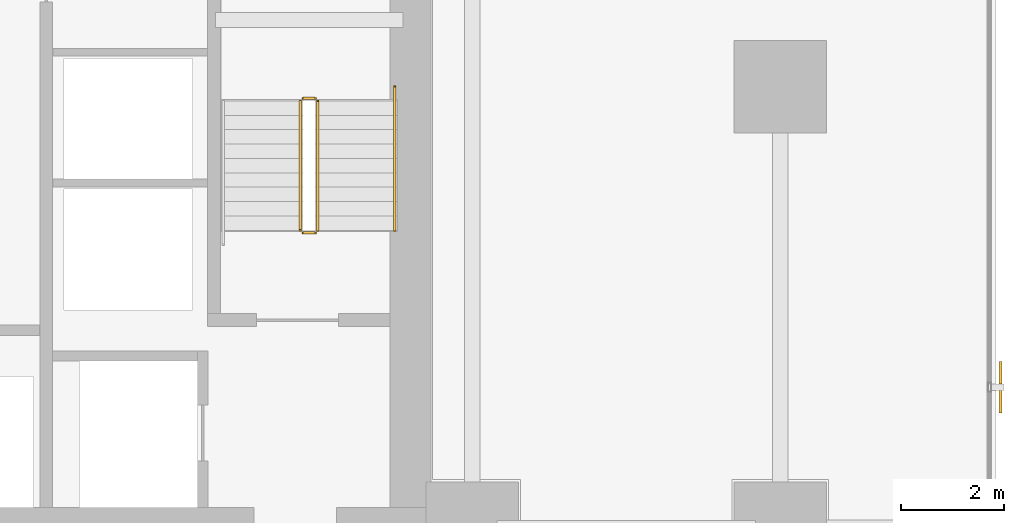
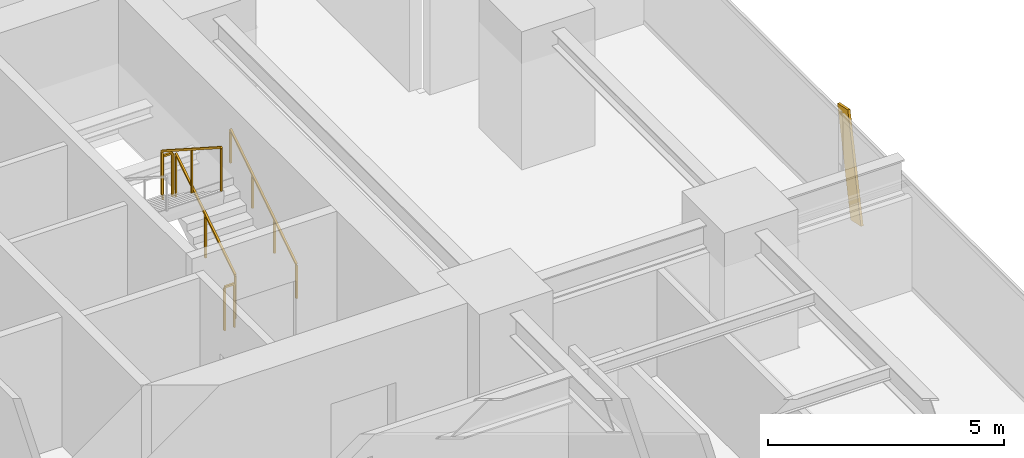
# One storey, part 33 of 34: 5 railings, 1 shading device.
"""IFC4 building model written with IfcOpenShell, lengths in metres."""

from ifc_helpers import new_model, si_unit, direction, frame, origin, origin_2d, place, context, subcontext, project, spatial, rectangle, extrude, source, transform, mapped, material, material_profile, profile_set, type_object, element, save


model = new_model("IFC4")

# Units and contexts
model_context = context("Model", 3, precision=1e-05, world=origin(), true_north=direction((0.0, 1.0)))
body_context = subcontext(model_context, "Body", "Model", "MODEL_VIEW")
ifc_project = project(units=[si_unit("LENGTHUNIT", "METRE"), si_unit("AREAUNIT", "SQUARE_METRE"), si_unit("VOLUMEUNIT", "CUBIC_METRE"), si_unit("PLANEANGLEUNIT", "RADIAN"), si_unit("MASSUNIT", "GRAM", prefix="KILO")], contexts=[model_context])

# Site, building, storey
site_placement = place(None, origin())
site = spatial("IfcSite", under=ifc_project, at=site_placement, CompositionType="ELEMENT")
building_placement = place(site_placement, origin())
building = spatial("IfcBuilding", under=site, at=building_placement, Name="Sumidabori Civic Tower", CompositionType="ELEMENT")
storey_placement = place(building_placement, frame((0.0, 0.0, 56.0)))
storey = spatial("IfcBuildingStorey", under=building, at=storey_placement, Name="L14", CompositionType="ELEMENT", Elevation=56.0)

# Railings
ifc_material_1 = material(Name="Stainless Steel Hairline Finish", Category="steel")
railing_type_1 = type_object("IfcRailingType", Name="RL-HANDRAIL", PredefinedType="HANDRAIL", material=ifc_material_1)
railing_1_placement = place(storey_placement, frame((15.2900390625, 16.0, 0.179931640625)))
element("IfcRailing", 1, at=railing_1_placement, inside=storey, type_object=railing_type_1, Name="L14 ST-2 stair handrail 1", PredefinedType="HANDRAIL", context=body_context, shape_type="SweptSolid", body=[
    extrude(rectangle(XDim=0.048095703125, YDim=0.048095703125, at=origin_2d()), frame((0.0, 0.0, 0.8759765625), z_axis=(0.0, 0.84064222762, 0.54159084662), x_axis=(-1.0, 0.0, 0.0)), (0.0, 0.0, 1.0), 3.330810546875),
    extrude(rectangle(XDim=0.0419921875, YDim=0.0419921875, at=origin_2d()), origin(), (0.0, 0.0, 1.0), 0.851806640625),
    extrude(rectangle(XDim=0.0419921875, YDim=0.0419921875, at=origin_2d()), frame((0.0, 0.933349609375, 0.601318359375)), (0.0, 0.0, 1.0), 0.851806640625),
    extrude(rectangle(XDim=0.0419921875, YDim=0.0419921875, at=origin_2d()), frame((0.0, 1.86669921875, 1.20263671875)), (0.0, 0.0, 1.0), 0.851806640625),
    extrude(rectangle(XDim=0.0419921875, YDim=0.0419921875, at=origin_2d()), frame((0.0, 2.800048828125, 1.803955078125)), (0.0, 0.0, 1.0), 0.851806640625),
])
ifc_material_2 = material(Name="Steel SN490", Category="steel")
railing_type_2 = type_object("IfcRailingType", Name="RL-STAIR-GUARD", PredefinedType="GUARDRAIL", material=ifc_material_2)
railing_2_placement = place(storey_placement, frame((13.7900390625, 16.0, 0.179931640625)))
element("IfcRailing", 2, at=railing_2_placement, inside=storey, type_object=railing_type_2, Name="L14 ST-2 stair guard 1", PredefinedType="GUARDRAIL", context=body_context, shape_type="SweptSolid", body=[
    extrude(rectangle(XDim=0.048095703125, YDim=0.048095703125, at=origin_2d()), frame((0.0, 0.0, 1.1259765625), z_axis=(0.0, 0.841162588446, 0.540782303519), x_axis=(-1.0, 0.0, 0.0)), (0.0, 0.0, 1.0), 2.995849609375),
    extrude(rectangle(XDim=0.0419921875, YDim=0.0419921875, at=origin_2d()), origin(), (0.0, 0.0, 1.0), 1.101806640625),
    extrude(rectangle(XDim=0.0419921875, YDim=0.0419921875, at=origin_2d()), frame((0.0, 1.260009765625, 0.81005859375)), (0.0, 0.0, 1.0), 1.101806640625),
    extrude(rectangle(XDim=0.0419921875, YDim=0.0419921875, at=origin_2d()), frame((0.0, 2.52001953125, 1.6201171875)), (0.0, 0.0, 1.0), 1.101806640625),
])
railing_3_placement = place(storey_placement, frame((13.739990234375, 18.570068359375, 1.800048828125)))
element("IfcRailing", 3, at=railing_3_placement, inside=storey, type_object=railing_type_2, Name="L14 ST-2 stair guard 2", PredefinedType="GUARDRAIL", context=body_context, shape_type="SweptSolid", body=[
    extrude(rectangle(XDim=0.048095703125, YDim=0.048095703125, at=origin_2d()), frame((0.0, 0.0, 1.1259765625), z_axis=(-1.0, 0.0, 0.0), x_axis=(0.0, -1.0, 0.0)), (0.0, 0.0, 1.0), 0.239990234375),
    extrude(rectangle(XDim=0.0419921875, YDim=0.0419921875, at=origin_2d()), origin(), (0.0, 0.0, 1.0), 1.101806640625),
    extrude(rectangle(XDim=0.0419921875, YDim=0.0419921875, at=origin_2d()), frame((-0.239990234375, 0.0, 0.0)), (0.0, 0.0, 1.0), 1.101806640625),
])
railing_4_placement = place(storey_placement, frame((13.449951171875, 18.52001953125, 1.97998046875)))
element("IfcRailing", 4, at=railing_4_placement, inside=storey, type_object=railing_type_2, Name="L14 ST-2 stair guard 3", PredefinedType="GUARDRAIL", context=body_context, shape_type="SweptSolid", body=[
    extrude(rectangle(XDim=0.048095703125, YDim=0.048095703125, at=origin_2d()), frame((0.0, 0.0, 1.1259765625), z_axis=(0.0, -0.841162588446, 0.540782303519), x_axis=(1.0, 0.0, 0.0)), (0.0, 0.0, 1.0), 2.995849609375),
    extrude(rectangle(XDim=0.0419921875, YDim=0.0419921875, at=origin_2d()), origin(), (0.0, 0.0, 1.0), 1.101806640625),
    extrude(rectangle(XDim=0.0419921875, YDim=0.0419921875, at=origin_2d()), frame((0.0, -1.260009765625, 0.81005859375)), (0.0, 0.0, 1.0), 1.101806640625),
    extrude(rectangle(XDim=0.0419921875, YDim=0.0419921875, at=origin_2d()), frame((0.0, -2.52001953125, 1.6201171875)), (0.0, 0.0, 1.0), 1.101806640625),
])
railing_5_placement = place(storey_placement, frame((13.739990234375, 15.949951171875, 0.0)))
element("IfcRailing", 5, at=railing_5_placement, inside=storey, type_object=railing_type_2, Name="L14 ST-2 stair guard 4", PredefinedType="GUARDRAIL", context=body_context, shape_type="SweptSolid", body=[
    extrude(rectangle(XDim=0.048095703125, YDim=0.048095703125, at=origin_2d()), frame((0.0, 0.0, 1.1259765625), z_axis=(-1.0, 0.0, 0.0), x_axis=(0.0, -1.0, 0.0)), (0.0, 0.0, 1.0), 0.239990234375),
    extrude(rectangle(XDim=0.0419921875, YDim=0.0419921875, at=origin_2d()), origin(), (0.0, 0.0, 1.0), 1.101806640625),
    extrude(rectangle(XDim=0.0419921875, YDim=0.0419921875, at=origin_2d()), frame((-0.239990234375, 0.0, 0.0)), (0.0, 0.0, 1.0), 1.101806640625),
])

# Shading device
ifc_material_3 = material(Name="Anodised Bronze Aluminium AW-6063-T6", Category="aluminium")
ifc_material_profile = material_profile(ifc_material_3, rectangle(XDim=0.06005859375, YDim=0.449951171875, at=origin_2d()), Name="BRONZE FIN 450x60")
ifc_profile_set = profile_set([ifc_material_profile], Name="Anodised Bronze Aluminium AW-6063-T6")
shading_device_type = type_object("IfcShadingDeviceType", Name="SH-FIN-450", PredefinedType="USERDEFINED", material=ifc_profile_set)
shared_shape = source(origin(), body_context, "Body", "SweptSolid", [
    extrude(rectangle(XDim=0.06005859375, YDim=0.449951171875, at=origin_2d()), origin(), (0.0, 0.0, 1.0), 2.73779296875),
])
shading_device_placement = place(storey_placement, frame((27.090087890625, 12.662109375, 0.02001953125), z_axis=(0.0, 0.204477700022, 0.978871222477), x_axis=(-1.0, 0.0, 0.0)))
element("IfcShadingDevice", 6, at=shading_device_placement, inside=storey, type_object=shading_device_type, Name="Bronze Anodised Diagonal Fin L14-04", ObjectType="FIN", PredefinedType="USERDEFINED", context=body_context, shape_type="MappedRepresentation", body=[
    mapped(shared_shape, transform((0.0, 0.0, 0.0), x_axis=(1.0, 0.0, 0.0), y_axis=(0.0, 1.0, 0.0), z_axis=(0.0, 0.0, 1.0), scale=1.0)),
])

save(model, "model.ifc")
